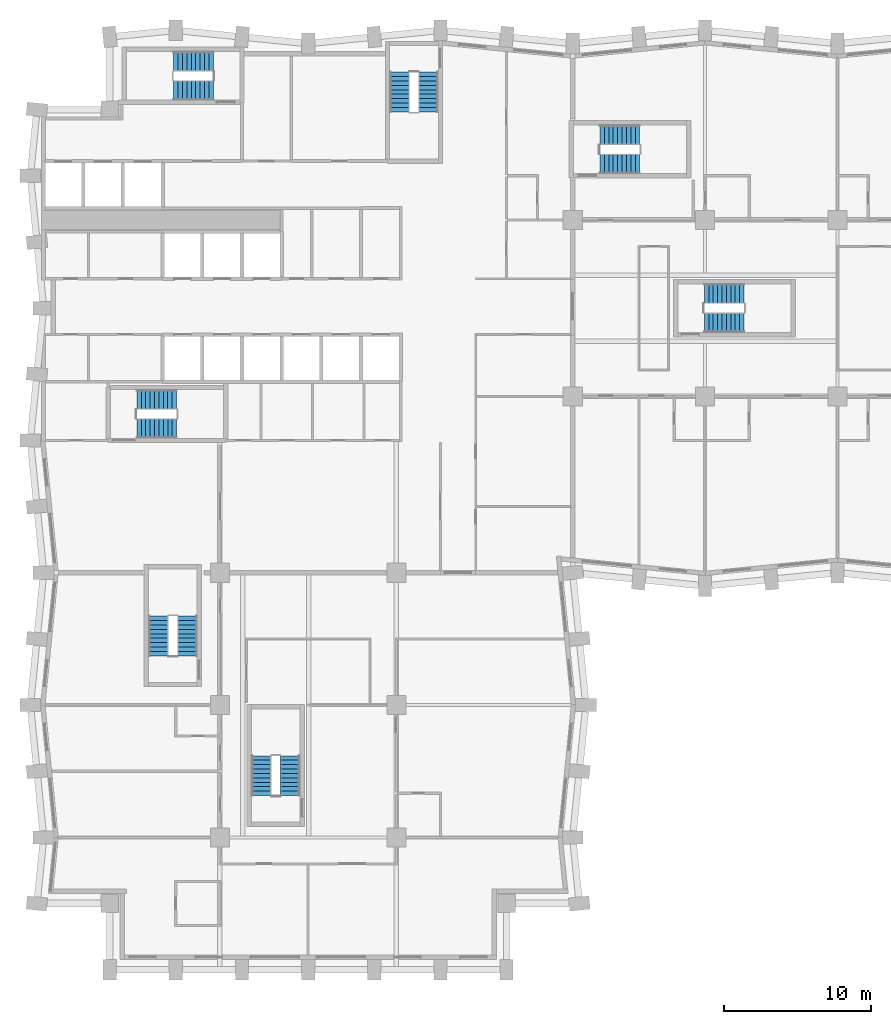
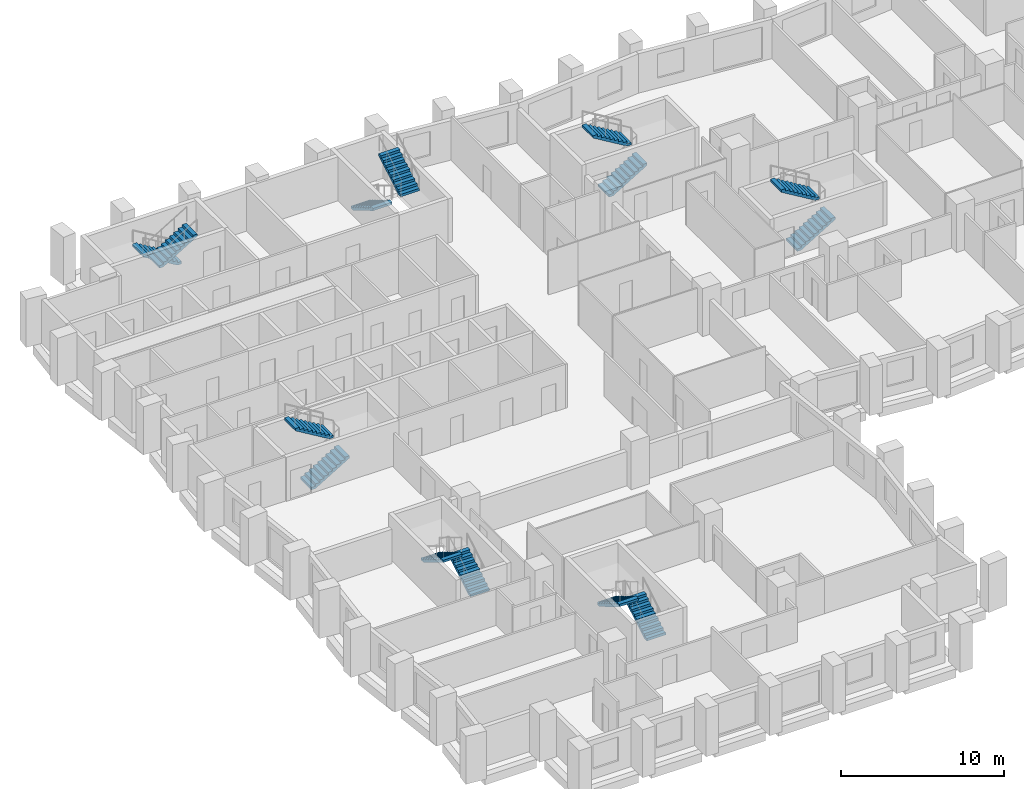
# One storey, part 11 of 13: 14 stair flights, 7 elements without a shape of their own.
"""IFC4 building model written with IfcOpenShell, lengths in metres."""

from ifc_helpers import new_model, si_unit, direction, frame, origin, place, context, subcontext, project, spatial, polyline, outline, extrude, material, type_object, element, aggregate, save


model = new_model("IFC4")

# Units and contexts
model_context = context("Model", 3, precision=1e-05, world=origin(), true_north=direction((0.0, 1.0)))
body_context = subcontext(model_context, "Body", "Model", "MODEL_VIEW")
ifc_project = project(units=[si_unit("LENGTHUNIT", "METRE"), si_unit("AREAUNIT", "SQUARE_METRE"), si_unit("VOLUMEUNIT", "CUBIC_METRE"), si_unit("PLANEANGLEUNIT", "RADIAN"), si_unit("MASSUNIT", "GRAM", prefix="KILO")], contexts=[model_context])

# Site, building, storey
site_placement = place(None, origin())
site = spatial("IfcSite", under=ifc_project, at=site_placement, CompositionType="ELEMENT")
building_placement = place(site_placement, origin())
building = spatial("IfcBuilding", under=site, at=building_placement, Name="Brondeck Convention Tower", CompositionType="ELEMENT")
storey_placement = place(building_placement, frame((0.0, 0.0, 69.89990234375)))
storey = spatial("IfcBuildingStorey", under=building, at=storey_placement, Name="L15", CompositionType="ELEMENT", Elevation=69.89990234375)

# Stair, stair flights
ifc_material = material(Name="Precast concrete C50/60", Category="concrete")
stair_type = type_object("IfcStairType", Name="Core stair 20 risers 180.00 mm riser 300 mm going 1350 wide", PredefinedType="HALF_TURN_STAIR", material=ifc_material)
stair_1_placement = place(storey_placement, origin())
stair_1 = element("IfcStair", 1, at=stair_1_placement, inside=storey, type_object=stair_type, Name="ST-1 L15 stair", PredefinedType="HALF_TURN_STAIR")
stair_flight_type = type_object("IfcStairFlightType", Name="Core stair flight 20 risers 180.00 mm riser 300 mm going 1350 wide", PredefinedType="STRAIGHT", material=ifc_material)
stair_flight_1_placement = place(storey_placement, frame((6.35009765625, 36.824951171875, 0.0), z_axis=(0.0, 0.0, 1.0), x_axis=(1.0, 0.0, 0.0)))
stair_flight_1 = element("IfcStairFlight", 2, at=stair_flight_1_placement, type_object=stair_flight_type, Name="ST-1 flight 1", NumberOfRisers=10, NumberOfTreads=9, PredefinedType="STRAIGHT", RiserHeight=0.18, TreadLength=0.3, context=body_context, shape_type="SweptSolid", body=[
    extrude(outline(polyline([(0.0, 0.0), (0.0, 0.179931640625), (0.300048828125, 0.179931640625), (0.300048828125, 0.360107421875), (0.60009765625, 0.360107421875), (0.60009765625, 0.5400390625), (0.89990234375, 0.5400390625), (0.89990234375, 0.719970703125), (1.199951171875, 0.719970703125), (1.199951171875, 0.89990234375), (1.5, 0.89990234375), (1.5, 1.080078125), (1.800048828125, 1.080078125), (1.800048828125, 1.260009765625), (2.10009765625, 1.260009765625), (2.10009765625, 1.43994140625), (2.39990234375, 1.43994140625), (2.39990234375, 1.6201171875), (2.699951171875, 1.6201171875), (2.699951171875, 1.800048828125), (2.699951171875, 1.445068359375), (0.291259765625, 0.0), (0.0, 0.0)])), frame((0.0, 0.675048828125, 0.0), z_axis=(0.0, -1.0, 0.0), x_axis=(1.0, 0.0, 0.0)), (0.0, 0.0, 1.0), 1.35009765625),
])
stair_flight_2_placement = place(storey_placement, frame((9.050048828125, 38.77490234375, 1.800048828125), z_axis=(0.0, 0.0, 1.0), x_axis=(-1.0, 0.0, 0.0)))
stair_flight_2 = element("IfcStairFlight", 3, at=stair_flight_2_placement, type_object=stair_flight_type, Name="ST-1 flight 2", NumberOfRisers=10, NumberOfTreads=9, PredefinedType="STRAIGHT", RiserHeight=0.18, TreadLength=0.3, context=body_context, shape_type="SweptSolid", body=[
    extrude(outline(polyline([(0.0, 0.0), (0.0, 0.179931640625), (0.300048828125, 0.179931640625), (0.300048828125, 0.360107421875), (0.60009765625, 0.360107421875), (0.60009765625, 0.5400390625), (0.89990234375, 0.5400390625), (0.89990234375, 0.719970703125), (1.199951171875, 0.719970703125), (1.199951171875, 0.89990234375), (1.5, 0.89990234375), (1.5, 1.080078125), (1.800048828125, 1.080078125), (1.800048828125, 1.260009765625), (2.10009765625, 1.260009765625), (2.10009765625, 1.43994140625), (2.39990234375, 1.43994140625), (2.39990234375, 1.6201171875), (2.699951171875, 1.6201171875), (2.699951171875, 1.800048828125), (2.699951171875, 1.445068359375), (0.291259765625, 0.0), (0.0, 0.0)])), frame((0.0, 0.675048828125, 0.0), z_axis=(0.0, -1.0, 0.0), x_axis=(1.0, 0.0, 0.0)), (0.0, 0.0, 1.0), 1.35009765625),
])
aggregate(stair_1, [stair_flight_1, stair_flight_2])

stair_2_placement = place(storey_placement, origin())
stair_2 = element("IfcStair", 4, at=stair_2_placement, inside=storey, type_object=stair_type, Name="ST-2 L15 stair", PredefinedType="HALF_TURN_STAIR")
stair_flight_3_placement = place(storey_placement, frame((24.22509765625, 61.050048828125, 0.0), z_axis=(0.0, 0.0, 1.0), x_axis=(0.0, -1.0, 0.0)))
stair_flight_3 = element("IfcStairFlight", 5, at=stair_flight_3_placement, type_object=stair_flight_type, Name="ST-2 flight 1", NumberOfRisers=10, NumberOfTreads=9, PredefinedType="STRAIGHT", RiserHeight=0.18, TreadLength=0.3, context=body_context, shape_type="SweptSolid", body=[
    extrude(outline(polyline([(0.0, 0.0), (0.0, 0.179931640625), (0.300048828125, 0.179931640625), (0.300048828125, 0.360107421875), (0.60009765625, 0.360107421875), (0.60009765625, 0.5400390625), (0.89990234375, 0.5400390625), (0.89990234375, 0.719970703125), (1.199951171875, 0.719970703125), (1.199951171875, 0.89990234375), (1.5, 0.89990234375), (1.5, 1.080078125), (1.800048828125, 1.080078125), (1.800048828125, 1.260009765625), (2.10009765625, 1.260009765625), (2.10009765625, 1.43994140625), (2.39990234375, 1.43994140625), (2.39990234375, 1.6201171875), (2.699951171875, 1.6201171875), (2.699951171875, 1.800048828125), (2.699951171875, 1.445068359375), (0.291259765625, 0.0), (0.0, 0.0)])), frame((0.0, 0.675048828125, 0.0), z_axis=(0.0, -1.0, 0.0), x_axis=(1.0, 0.0, 0.0)), (0.0, 0.0, 1.0), 1.35009765625),
])
stair_flight_4_placement = place(storey_placement, frame((26.175048828125, 58.35009765625, 1.800048828125), z_axis=(0.0, 0.0, 1.0), x_axis=(0.0, 1.0, 0.0)))
stair_flight_4 = element("IfcStairFlight", 6, at=stair_flight_4_placement, type_object=stair_flight_type, Name="ST-2 flight 2", NumberOfRisers=10, NumberOfTreads=9, PredefinedType="STRAIGHT", RiserHeight=0.18, TreadLength=0.3, context=body_context, shape_type="SweptSolid", body=[
    extrude(outline(polyline([(0.0, 0.0), (0.0, 0.179931640625), (0.300048828125, 0.179931640625), (0.300048828125, 0.360107421875), (0.60009765625, 0.360107421875), (0.60009765625, 0.5400390625), (0.89990234375, 0.5400390625), (0.89990234375, 0.719970703125), (1.199951171875, 0.719970703125), (1.199951171875, 0.89990234375), (1.5, 0.89990234375), (1.5, 1.080078125), (1.800048828125, 1.080078125), (1.800048828125, 1.260009765625), (2.10009765625, 1.260009765625), (2.10009765625, 1.43994140625), (2.39990234375, 1.43994140625), (2.39990234375, 1.6201171875), (2.699951171875, 1.6201171875), (2.699951171875, 1.800048828125), (2.699951171875, 1.445068359375), (0.291259765625, 0.0), (0.0, 0.0)])), frame((0.0, 0.675048828125, 0.0), z_axis=(0.0, -1.0, 0.0), x_axis=(1.0, 0.0, 0.0)), (0.0, 0.0, 1.0), 1.35009765625),
])
aggregate(stair_2, [stair_flight_3, stair_flight_4])

stair_3_placement = place(storey_placement, origin())
stair_3 = element("IfcStair", 7, at=stair_3_placement, inside=storey, type_object=stair_type, Name="ST-3 L15 stair", PredefinedType="HALF_TURN_STAIR")
stair_flight_5_placement = place(storey_placement, frame((11.550048828125, 61.77490234375, 0.0), z_axis=(0.0, 0.0, 1.0), x_axis=(-1.0, 0.0, 0.0)))
stair_flight_5 = element("IfcStairFlight", 8, at=stair_flight_5_placement, type_object=stair_flight_type, Name="ST-3 flight 1", NumberOfRisers=10, NumberOfTreads=9, PredefinedType="STRAIGHT", RiserHeight=0.18, TreadLength=0.3, context=body_context, shape_type="SweptSolid", body=[
    extrude(outline(polyline([(0.0, 0.0), (0.0, 0.179931640625), (0.300048828125, 0.179931640625), (0.300048828125, 0.360107421875), (0.60009765625, 0.360107421875), (0.60009765625, 0.5400390625), (0.89990234375, 0.5400390625), (0.89990234375, 0.719970703125), (1.199951171875, 0.719970703125), (1.199951171875, 0.89990234375), (1.5, 0.89990234375), (1.5, 1.080078125), (1.800048828125, 1.080078125), (1.800048828125, 1.260009765625), (2.10009765625, 1.260009765625), (2.10009765625, 1.43994140625), (2.39990234375, 1.43994140625), (2.39990234375, 1.6201171875), (2.699951171875, 1.6201171875), (2.699951171875, 1.800048828125), (2.699951171875, 1.445068359375), (0.291259765625, 0.0), (0.0, 0.0)])), frame((0.0, 0.675048828125, 0.0), z_axis=(0.0, -1.0, 0.0), x_axis=(1.0, 0.0, 0.0)), (0.0, 0.0, 1.0), 1.35009765625),
])
stair_flight_6_placement = place(storey_placement, frame((8.85009765625, 59.824951171875, 1.800048828125), z_axis=(0.0, 0.0, 1.0), x_axis=(1.0, 0.0, 0.0)))
stair_flight_6 = element("IfcStairFlight", 9, at=stair_flight_6_placement, type_object=stair_flight_type, Name="ST-3 flight 2", NumberOfRisers=10, NumberOfTreads=9, PredefinedType="STRAIGHT", RiserHeight=0.18, TreadLength=0.3, context=body_context, shape_type="SweptSolid", body=[
    extrude(outline(polyline([(0.0, 0.0), (0.0, 0.179931640625), (0.300048828125, 0.179931640625), (0.300048828125, 0.360107421875), (0.60009765625, 0.360107421875), (0.60009765625, 0.5400390625), (0.89990234375, 0.5400390625), (0.89990234375, 0.719970703125), (1.199951171875, 0.719970703125), (1.199951171875, 0.89990234375), (1.5, 0.89990234375), (1.5, 1.080078125), (1.800048828125, 1.080078125), (1.800048828125, 1.260009765625), (2.10009765625, 1.260009765625), (2.10009765625, 1.43994140625), (2.39990234375, 1.43994140625), (2.39990234375, 1.6201171875), (2.699951171875, 1.6201171875), (2.699951171875, 1.800048828125), (2.699951171875, 1.445068359375), (0.291259765625, 0.0), (0.0, 0.0)])), frame((0.0, 0.675048828125, 0.0), z_axis=(0.0, -1.0, 0.0), x_axis=(1.0, 0.0, 0.0)), (0.0, 0.0, 1.0), 1.35009765625),
])
aggregate(stair_3, [stair_flight_5, stair_flight_6])

stair_4_placement = place(storey_placement, origin())
stair_4 = element("IfcStair", 10, at=stair_4_placement, inside=storey, type_object=stair_type, Name="ST-AE L15 stair", PredefinedType="HALF_TURN_STAIR")
stair_flight_7_placement = place(storey_placement, frame((37.85009765625, 54.824951171875, 0.0), z_axis=(0.0, 0.0, 1.0), x_axis=(1.0, 0.0, 0.0)))
stair_flight_7 = element("IfcStairFlight", 11, at=stair_flight_7_placement, type_object=stair_flight_type, Name="ST-AE flight 1", NumberOfRisers=10, NumberOfTreads=9, PredefinedType="STRAIGHT", RiserHeight=0.18, TreadLength=0.3, context=body_context, shape_type="SweptSolid", body=[
    extrude(outline(polyline([(0.0, 0.0), (0.0, 0.179931640625), (0.300048828125, 0.179931640625), (0.300048828125, 0.360107421875), (0.60009765625, 0.360107421875), (0.60009765625, 0.5400390625), (0.89990234375, 0.5400390625), (0.89990234375, 0.719970703125), (1.199951171875, 0.719970703125), (1.199951171875, 0.89990234375), (1.5, 0.89990234375), (1.5, 1.080078125), (1.800048828125, 1.080078125), (1.800048828125, 1.260009765625), (2.10009765625, 1.260009765625), (2.10009765625, 1.43994140625), (2.39990234375, 1.43994140625), (2.39990234375, 1.6201171875), (2.699951171875, 1.6201171875), (2.699951171875, 1.800048828125), (2.699951171875, 1.445068359375), (0.291259765625, 0.0), (0.0, 0.0)])), frame((0.0, 0.675048828125, 0.0), z_axis=(0.0, -1.0, 0.0), x_axis=(1.0, 0.0, 0.0)), (0.0, 0.0, 1.0), 1.35009765625),
])
stair_flight_8_placement = place(storey_placement, frame((40.550048828125, 56.77490234375, 1.800048828125), z_axis=(0.0, 0.0, 1.0), x_axis=(-1.0, 0.0, 0.0)))
stair_flight_8 = element("IfcStairFlight", 12, at=stair_flight_8_placement, type_object=stair_flight_type, Name="ST-AE flight 2", NumberOfRisers=10, NumberOfTreads=9, PredefinedType="STRAIGHT", RiserHeight=0.18, TreadLength=0.3, context=body_context, shape_type="SweptSolid", body=[
    extrude(outline(polyline([(0.0, 0.0), (0.0, 0.179931640625), (0.300048828125, 0.179931640625), (0.300048828125, 0.360107421875), (0.60009765625, 0.360107421875), (0.60009765625, 0.5400390625), (0.89990234375, 0.5400390625), (0.89990234375, 0.719970703125), (1.199951171875, 0.719970703125), (1.199951171875, 0.89990234375), (1.5, 0.89990234375), (1.5, 1.080078125), (1.800048828125, 1.080078125), (1.800048828125, 1.260009765625), (2.10009765625, 1.260009765625), (2.10009765625, 1.43994140625), (2.39990234375, 1.43994140625), (2.39990234375, 1.6201171875), (2.699951171875, 1.6201171875), (2.699951171875, 1.800048828125), (2.699951171875, 1.445068359375), (0.291259765625, 0.0), (0.0, 0.0)])), frame((0.0, 0.675048828125, 0.0), z_axis=(0.0, -1.0, 0.0), x_axis=(1.0, 0.0, 0.0)), (0.0, 0.0, 1.0), 1.35009765625),
])
aggregate(stair_4, [stair_flight_7, stair_flight_8])

stair_5_placement = place(storey_placement, origin())
stair_5 = element("IfcStair", 13, at=stair_5_placement, inside=storey, type_object=stair_type, Name="ST-BE L15 stair", PredefinedType="HALF_TURN_STAIR")
stair_flight_9_placement = place(storey_placement, frame((9.77490234375, 21.35009765625, 0.0), z_axis=(0.0, 0.0, 1.0), x_axis=(0.0, 1.0, 0.0)))
stair_flight_9 = element("IfcStairFlight", 14, at=stair_flight_9_placement, type_object=stair_flight_type, Name="ST-BE flight 1", NumberOfRisers=10, NumberOfTreads=9, PredefinedType="STRAIGHT", RiserHeight=0.18, TreadLength=0.3, context=body_context, shape_type="SweptSolid", body=[
    extrude(outline(polyline([(0.0, 0.0), (0.0, 0.179931640625), (0.300048828125, 0.179931640625), (0.300048828125, 0.360107421875), (0.60009765625, 0.360107421875), (0.60009765625, 0.5400390625), (0.89990234375, 0.5400390625), (0.89990234375, 0.719970703125), (1.199951171875, 0.719970703125), (1.199951171875, 0.89990234375), (1.5, 0.89990234375), (1.5, 1.080078125), (1.800048828125, 1.080078125), (1.800048828125, 1.260009765625), (2.10009765625, 1.260009765625), (2.10009765625, 1.43994140625), (2.39990234375, 1.43994140625), (2.39990234375, 1.6201171875), (2.699951171875, 1.6201171875), (2.699951171875, 1.800048828125), (2.699951171875, 1.445068359375), (0.291259765625, 0.0), (0.0, 0.0)])), frame((0.0, 0.675048828125, 0.0), z_axis=(0.0, -1.0, 0.0), x_axis=(1.0, 0.0, 0.0)), (0.0, 0.0, 1.0), 1.35009765625),
])
stair_flight_10_placement = place(storey_placement, frame((7.824951171875, 24.050048828125, 1.800048828125), z_axis=(0.0, 0.0, 1.0), x_axis=(0.0, -1.0, 0.0)))
stair_flight_10 = element("IfcStairFlight", 15, at=stair_flight_10_placement, type_object=stair_flight_type, Name="ST-BE flight 2", NumberOfRisers=10, NumberOfTreads=9, PredefinedType="STRAIGHT", RiserHeight=0.18, TreadLength=0.3, context=body_context, shape_type="SweptSolid", body=[
    extrude(outline(polyline([(0.0, 0.0), (0.0, 0.179931640625), (0.300048828125, 0.179931640625), (0.300048828125, 0.360107421875), (0.60009765625, 0.360107421875), (0.60009765625, 0.5400390625), (0.89990234375, 0.5400390625), (0.89990234375, 0.719970703125), (1.199951171875, 0.719970703125), (1.199951171875, 0.89990234375), (1.5, 0.89990234375), (1.5, 1.080078125), (1.800048828125, 1.080078125), (1.800048828125, 1.260009765625), (2.10009765625, 1.260009765625), (2.10009765625, 1.43994140625), (2.39990234375, 1.43994140625), (2.39990234375, 1.6201171875), (2.699951171875, 1.6201171875), (2.699951171875, 1.800048828125), (2.699951171875, 1.445068359375), (0.291259765625, 0.0), (0.0, 0.0)])), frame((0.0, 0.675048828125, 0.0), z_axis=(0.0, -1.0, 0.0), x_axis=(1.0, 0.0, 0.0)), (0.0, 0.0, 1.0), 1.35009765625),
])
aggregate(stair_5, [stair_flight_9, stair_flight_10])

stair_6_placement = place(storey_placement, origin())
stair_6 = element("IfcStair", 16, at=stair_6_placement, inside=storey, type_object=stair_type, Name="ST-AF L15 stair", PredefinedType="HALF_TURN_STAIR")
stair_flight_11_placement = place(storey_placement, frame((44.949951171875, 44.02490234375, 0.0), z_axis=(0.0, 0.0, 1.0), x_axis=(1.0, 0.0, 0.0)))
stair_flight_11 = element("IfcStairFlight", 17, at=stair_flight_11_placement, type_object=stair_flight_type, Name="ST-AF flight 1", NumberOfRisers=10, NumberOfTreads=9, PredefinedType="STRAIGHT", RiserHeight=0.18, TreadLength=0.3, context=body_context, shape_type="SweptSolid", body=[
    extrude(outline(polyline([(0.0, 0.0), (0.0, 0.179931640625), (0.300048828125, 0.179931640625), (0.300048828125, 0.360107421875), (0.60009765625, 0.360107421875), (0.60009765625, 0.5400390625), (0.89990234375, 0.5400390625), (0.89990234375, 0.719970703125), (1.199951171875, 0.719970703125), (1.199951171875, 0.89990234375), (1.5, 0.89990234375), (1.5, 1.080078125), (1.800048828125, 1.080078125), (1.800048828125, 1.260009765625), (2.10009765625, 1.260009765625), (2.10009765625, 1.43994140625), (2.39990234375, 1.43994140625), (2.39990234375, 1.6201171875), (2.699951171875, 1.6201171875), (2.699951171875, 1.800048828125), (2.699951171875, 1.445068359375), (0.291259765625, 0.0), (0.0, 0.0)])), frame((0.0, 0.675048828125, 0.0), z_axis=(0.0, -1.0, 0.0), x_axis=(1.0, 0.0, 0.0)), (0.0, 0.0, 1.0), 1.35009765625),
])
stair_flight_12_placement = place(storey_placement, frame((47.64990234375, 45.97509765625, 1.800048828125), z_axis=(0.0, 0.0, 1.0), x_axis=(-1.0, 0.0, 0.0)))
stair_flight_12 = element("IfcStairFlight", 18, at=stair_flight_12_placement, type_object=stair_flight_type, Name="ST-AF flight 2", NumberOfRisers=10, NumberOfTreads=9, PredefinedType="STRAIGHT", RiserHeight=0.18, TreadLength=0.3, context=body_context, shape_type="SweptSolid", body=[
    extrude(outline(polyline([(0.0, 0.0), (0.0, 0.179931640625), (0.300048828125, 0.179931640625), (0.300048828125, 0.360107421875), (0.60009765625, 0.360107421875), (0.60009765625, 0.5400390625), (0.89990234375, 0.5400390625), (0.89990234375, 0.719970703125), (1.199951171875, 0.719970703125), (1.199951171875, 0.89990234375), (1.5, 0.89990234375), (1.5, 1.080078125), (1.800048828125, 1.080078125), (1.800048828125, 1.260009765625), (2.10009765625, 1.260009765625), (2.10009765625, 1.43994140625), (2.39990234375, 1.43994140625), (2.39990234375, 1.6201171875), (2.699951171875, 1.6201171875), (2.699951171875, 1.800048828125), (2.699951171875, 1.445068359375), (0.291259765625, 0.0), (0.0, 0.0)])), frame((0.0, 0.675048828125, 0.0), z_axis=(0.0, -1.0, 0.0), x_axis=(1.0, 0.0, 0.0)), (0.0, 0.0, 1.0), 1.35009765625),
])
aggregate(stair_6, [stair_flight_11, stair_flight_12])

stair_7_placement = place(storey_placement, origin())
stair_7 = element("IfcStair", 19, at=stair_7_placement, inside=storey, type_object=stair_type, Name="ST-BF L15 stair", PredefinedType="HALF_TURN_STAIR")
stair_flight_13_placement = place(storey_placement, frame((16.77490234375, 11.85009765625, 0.0), z_axis=(0.0, 0.0, 1.0), x_axis=(0.0, 1.0, 0.0)))
stair_flight_13 = element("IfcStairFlight", 20, at=stair_flight_13_placement, type_object=stair_flight_type, Name="ST-BF flight 1", NumberOfRisers=10, NumberOfTreads=9, PredefinedType="STRAIGHT", RiserHeight=0.18, TreadLength=0.3, context=body_context, shape_type="SweptSolid", body=[
    extrude(outline(polyline([(0.0, 0.0), (0.0, 0.179931640625), (0.300048828125, 0.179931640625), (0.300048828125, 0.360107421875), (0.60009765625, 0.360107421875), (0.60009765625, 0.5400390625), (0.89990234375, 0.5400390625), (0.89990234375, 0.719970703125), (1.199951171875, 0.719970703125), (1.199951171875, 0.89990234375), (1.5, 0.89990234375), (1.5, 1.080078125), (1.800048828125, 1.080078125), (1.800048828125, 1.260009765625), (2.10009765625, 1.260009765625), (2.10009765625, 1.43994140625), (2.39990234375, 1.43994140625), (2.39990234375, 1.6201171875), (2.699951171875, 1.6201171875), (2.699951171875, 1.800048828125), (2.699951171875, 1.445068359375), (0.291259765625, 0.0), (0.0, 0.0)])), frame((0.0, 0.675048828125, 0.0), z_axis=(0.0, -1.0, 0.0), x_axis=(1.0, 0.0, 0.0)), (0.0, 0.0, 1.0), 1.35009765625),
])
stair_flight_14_placement = place(storey_placement, frame((14.824951171875, 14.550048828125, 1.800048828125), z_axis=(0.0, 0.0, 1.0), x_axis=(0.0, -1.0, 0.0)))
stair_flight_14 = element("IfcStairFlight", 21, at=stair_flight_14_placement, type_object=stair_flight_type, Name="ST-BF flight 2", NumberOfRisers=10, NumberOfTreads=9, PredefinedType="STRAIGHT", RiserHeight=0.18, TreadLength=0.3, context=body_context, shape_type="SweptSolid", body=[
    extrude(outline(polyline([(0.0, 0.0), (0.0, 0.179931640625), (0.300048828125, 0.179931640625), (0.300048828125, 0.360107421875), (0.60009765625, 0.360107421875), (0.60009765625, 0.5400390625), (0.89990234375, 0.5400390625), (0.89990234375, 0.719970703125), (1.199951171875, 0.719970703125), (1.199951171875, 0.89990234375), (1.5, 0.89990234375), (1.5, 1.080078125), (1.800048828125, 1.080078125), (1.800048828125, 1.260009765625), (2.10009765625, 1.260009765625), (2.10009765625, 1.43994140625), (2.39990234375, 1.43994140625), (2.39990234375, 1.6201171875), (2.699951171875, 1.6201171875), (2.699951171875, 1.800048828125), (2.699951171875, 1.445068359375), (0.291259765625, 0.0), (0.0, 0.0)])), frame((0.0, 0.675048828125, 0.0), z_axis=(0.0, -1.0, 0.0), x_axis=(1.0, 0.0, 0.0)), (0.0, 0.0, 1.0), 1.35009765625),
])
aggregate(stair_7, [stair_flight_13, stair_flight_14])

save(model, "model.ifc")
